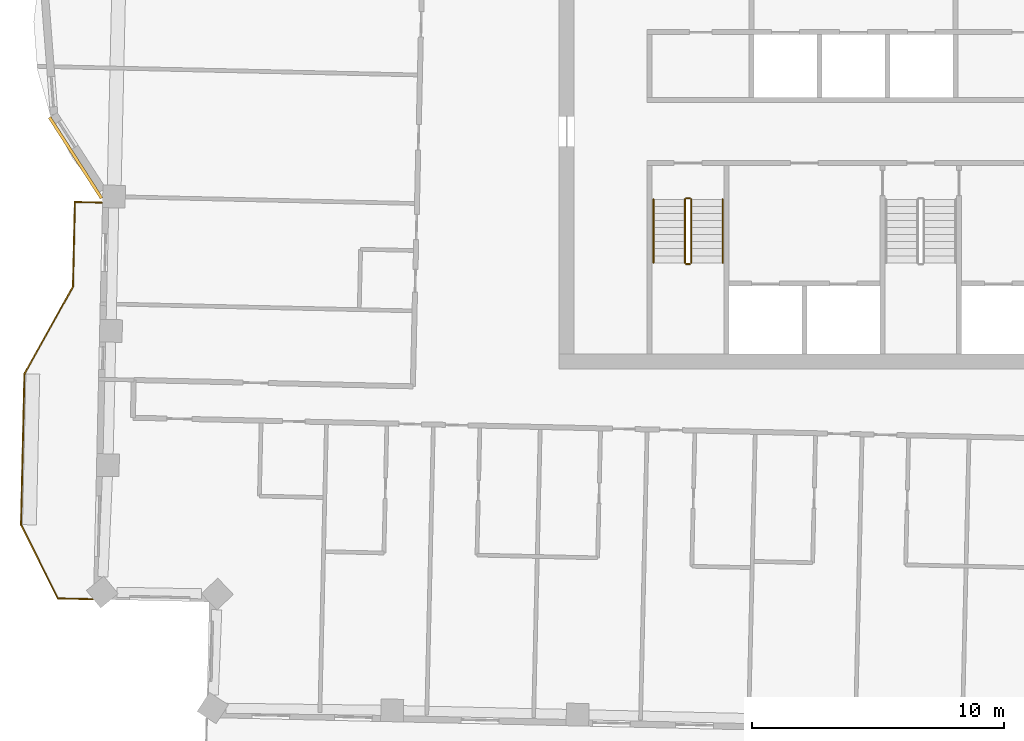
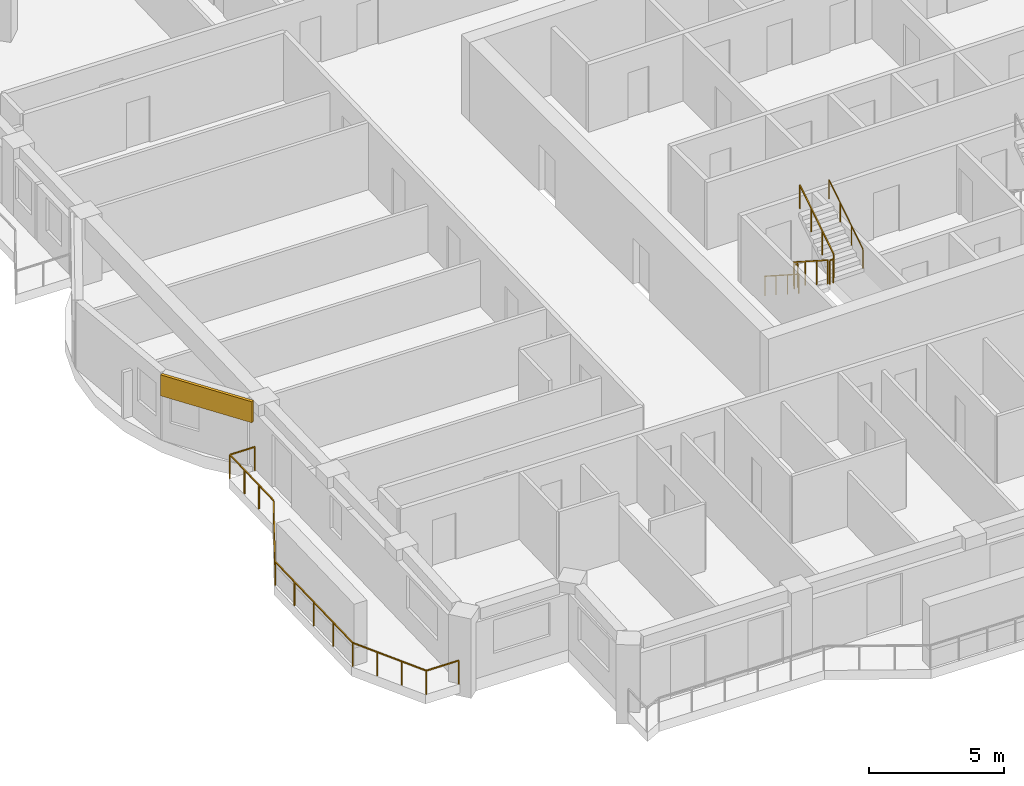
# One storey, part 12 of 15: 7 railings, 1 covering.
"""IFC4 building model written with IfcOpenShell, lengths in metres."""

from ifc_helpers import new_model, si_unit, direction, frame, frame_2d, origin, origin_2d, place, context, subcontext, project, spatial, rectangle, circle, extrude, material, layer, layer_set, type_object, element, save


model = new_model("IFC4")

# Units and contexts
model_context = context("Model", 3, precision=1e-05, world=origin(), true_north=direction((0.0, 1.0)))
body_context = subcontext(model_context, "Body", "Model", "MODEL_VIEW")
ifc_project = project(units=[si_unit("LENGTHUNIT", "METRE"), si_unit("AREAUNIT", "SQUARE_METRE"), si_unit("VOLUMEUNIT", "CUBIC_METRE"), si_unit("PLANEANGLEUNIT", "RADIAN"), si_unit("MASSUNIT", "GRAM", prefix="KILO")], contexts=[model_context])

# Site, building, storey
site_placement = place(None, origin())
site = spatial("IfcSite", under=ifc_project, at=site_placement, CompositionType="ELEMENT")
building_placement = place(site_placement, origin())
building = spatial("IfcBuilding", under=site, at=building_placement, Name="Mangrove Gate Tower", CompositionType="ELEMENT")
storey_placement = place(building_placement, frame((0.0, 0.0, 306.10009765625)))
storey = spatial("IfcBuildingStorey", under=building, at=storey_placement, Name="L78", CompositionType="ELEMENT", Elevation=306.10009765625)

# Railings
ifc_material_1 = material(Name="Stainless steel grade 316 with laminated glass infill", Category="steel")
railing_type_1 = type_object("IfcRailingType", Name="Balcony guard 1100", PredefinedType="GUARDRAIL", material=ifc_material_1)
railing_1_placement = place(storey_placement, frame((-32.593994140625, -4.77392578125, 0.0)))
element("IfcRailing", 1, at=railing_1_placement, inside=storey, type_object=railing_type_1, Name="GUARD L78 W2", PredefinedType="GUARDRAIL", context=body_context, shape_type="SweptSolid", body=[
    extrude(rectangle(XDim=0.048095703125, YDim=0.048095703125, at=origin_2d()), frame((0.0, 0.0, 1.076171875), z_axis=(-0.999744919731, 0.022585293253, 0.0), x_axis=(-0.022585293253, -0.999744919731, 0.0)), (0.0, 0.0, 1.0), 1.059326171875),
    extrude(rectangle(XDim=0.048095703125, YDim=0.048095703125, at=origin_2d()), frame((-1.05908203125, 0.02392578125, 1.076171875), z_axis=(-0.02278713509, -0.999740339525, 0.0), x_axis=(0.999740339525, -0.02278713509, 0.0)), (0.0, 0.0, 1.0), 3.375),
    extrude(rectangle(XDim=0.048095703125, YDim=0.048095703125, at=origin_2d()), frame((-1.135986328125, -3.35009765625, 1.076171875), z_axis=(-0.48726008209, -0.87325689943, 0.0), x_axis=(0.87325689943, -0.48726008209, 0.0)), (0.0, 0.0, 1.0), 3.958740234375),
    extrude(rectangle(XDim=0.048095703125, YDim=0.048095703125, at=origin_2d()), frame((-3.06494140625, -6.80712890625, 1.076171875), z_axis=(-0.022665943652, -0.999743094499, 0.0), x_axis=(0.999743094499, -0.022665943652, 0.0)), (0.0, 0.0, 1.0), 5.99951171875),
    extrude(rectangle(XDim=0.048095703125, YDim=0.048095703125, at=origin_2d()), frame((-3.200927734375, -12.80517578125, 1.076171875), z_axis=(0.447243366819, -0.894412304721, 0.0), x_axis=(0.894412304721, 0.447243366819, 0.0)), (0.0, 0.0, 1.0), 3.2802734375),
    extrude(rectangle(XDim=0.048095703125, YDim=0.048095703125, at=origin_2d()), frame((-1.73388671875, -15.739013671875, 1.076171875), z_axis=(0.99974621256, -0.022527993079, 0.0), x_axis=(0.022527993079, 0.99974621256, 0.0)), (0.0, 0.0, 1.0), 1.376220703125),
    extrude(rectangle(XDim=0.0419921875, YDim=0.0419921875, at=origin_2d()), origin(), (0.0, 0.0, 1.0), 1.052001953125),
    extrude(rectangle(XDim=0.0419921875, YDim=0.0419921875, at=origin_2d()), frame((-1.05908203125, 0.02392578125, 0.0)), (0.0, 0.0, 1.0), 1.052001953125),
    extrude(rectangle(XDim=0.0419921875, YDim=0.0419921875, at=origin_2d()), frame((-1.084716796875, -1.100830078125, 0.0)), (0.0, 0.0, 1.0), 1.052001953125),
    extrude(rectangle(XDim=0.0419921875, YDim=0.0419921875, at=origin_2d()), frame((-1.1103515625, -2.225341796875, 0.0)), (0.0, 0.0, 1.0), 1.052001953125),
    extrude(rectangle(XDim=0.0419921875, YDim=0.0419921875, at=origin_2d()), frame((-1.135986328125, -3.35009765625, 0.0)), (0.0, 0.0, 1.0), 1.052001953125),
    extrude(rectangle(XDim=0.0419921875, YDim=0.0419921875, at=origin_2d()), frame((-1.779052734375, -4.50244140625, 0.0)), (0.0, 0.0, 1.0), 1.052001953125),
    extrude(rectangle(XDim=0.0419921875, YDim=0.0419921875, at=origin_2d()), frame((-2.421875, -5.65478515625, 0.0)), (0.0, 0.0, 1.0), 1.052001953125),
    extrude(rectangle(XDim=0.0419921875, YDim=0.0419921875, at=origin_2d()), frame((-3.06494140625, -6.80712890625, 0.0)), (0.0, 0.0, 1.0), 1.052001953125),
    extrude(rectangle(XDim=0.0419921875, YDim=0.0419921875, at=origin_2d()), frame((-3.098876953125, -8.306640625, 0.0)), (0.0, 0.0, 1.0), 1.052001953125),
    extrude(rectangle(XDim=0.0419921875, YDim=0.0419921875, at=origin_2d()), frame((-3.1328125, -9.80615234375, 0.0)), (0.0, 0.0, 1.0), 1.052001953125),
    extrude(rectangle(XDim=0.0419921875, YDim=0.0419921875, at=origin_2d()), frame((-3.1669921875, -11.3056640625, 0.0)), (0.0, 0.0, 1.0), 1.052001953125),
    extrude(rectangle(XDim=0.0419921875, YDim=0.0419921875, at=origin_2d()), frame((-3.200927734375, -12.80517578125, 0.0)), (0.0, 0.0, 1.0), 1.052001953125),
    extrude(rectangle(XDim=0.0419921875, YDim=0.0419921875, at=origin_2d()), frame((-2.7119140625, -13.783203125, 0.0)), (0.0, 0.0, 1.0), 1.052001953125),
    extrude(rectangle(XDim=0.0419921875, YDim=0.0419921875, at=origin_2d()), frame((-2.222900390625, -14.760986328125, 0.0)), (0.0, 0.0, 1.0), 1.052001953125),
    extrude(rectangle(XDim=0.0419921875, YDim=0.0419921875, at=origin_2d()), frame((-1.73388671875, -15.739013671875, 0.0)), (0.0, 0.0, 1.0), 1.052001953125),
    extrude(rectangle(XDim=0.0419921875, YDim=0.0419921875, at=origin_2d()), frame((-0.35791015625, -15.77001953125, 0.0)), (0.0, 0.0, 1.0), 1.052001953125),
])
ifc_material_2 = material(Name="Stainless steel 316", Category="steel")
railing_type_2 = type_object("IfcRailingType", Name="Core stair guard 1100", PredefinedType="GUARDRAIL", material=ifc_material_2)
railing_2_placement = place(storey_placement, frame((-9.39990234375, -4.64990234375, 0.179931640625)))
element("IfcRailing", 2, at=railing_2_placement, inside=storey, type_object=railing_type_2, Name="L78 ST1 stair guard 1", PredefinedType="GUARDRAIL", context=body_context, shape_type="SweptSolid", body=[
    extrude(rectangle(XDim=0.048095703125, YDim=0.048095703125, at=origin_2d()), frame((0.0, 0.0, 1.076171875), z_axis=(0.0, -0.841199657755, 0.540724639528), x_axis=(1.0, 0.0, 0.0)), (0.0, 0.0, 1.0), 2.995849609375),
    extrude(rectangle(XDim=0.0419921875, YDim=0.0419921875, at=origin_2d()), origin(), (0.0, 0.0, 1.0), 1.052001953125),
    extrude(rectangle(XDim=0.0419921875, YDim=0.0419921875, at=origin_2d()), frame((0.0, -0.840087890625, 0.5400390625)), (0.0, 0.0, 1.0), 1.052001953125),
    extrude(rectangle(XDim=0.0419921875, YDim=0.0419921875, at=origin_2d()), frame((0.0, -1.679931640625, 1.079833984375)), (0.0, 0.0, 1.0), 1.052001953125),
    extrude(rectangle(XDim=0.0419921875, YDim=0.0419921875, at=origin_2d()), frame((0.0, -2.52001953125, 1.619873046875)), (0.0, 0.0, 1.0), 1.052001953125),
])
railing_3_placement = place(storey_placement, frame((-9.35009765625, -7.219970703125, 1.7998046875)))
element("IfcRailing", 3, at=railing_3_placement, inside=storey, type_object=railing_type_2, Name="L78 ST1 stair guard 2", PredefinedType="GUARDRAIL", context=body_context, shape_type="SweptSolid", body=[
    extrude(rectangle(XDim=0.048095703125, YDim=0.048095703125, at=origin_2d()), frame((0.0, 0.0, 1.076171875), z_axis=(1.0, 0.0, 0.0), x_axis=(0.0, 1.0, 0.0)), (0.0, 0.0, 1.0), 0.150146484375),
    extrude(rectangle(XDim=0.0419921875, YDim=0.0419921875, at=origin_2d()), origin(), (0.0, 0.0, 1.0), 1.052001953125),
    extrude(rectangle(XDim=0.0419921875, YDim=0.0419921875, at=origin_2d()), frame((0.150146484375, 0.0, 0.0)), (0.0, 0.0, 1.0), 1.052001953125),
])
railing_4_placement = place(storey_placement, frame((-9.14990234375, -7.169921875, 1.97998046875)))
element("IfcRailing", 4, at=railing_4_placement, inside=storey, type_object=railing_type_2, Name="L78 ST1 stair guard 3", PredefinedType="GUARDRAIL", context=body_context, shape_type="SweptSolid", body=[
    extrude(rectangle(XDim=0.048095703125, YDim=0.048095703125, at=origin_2d()), frame((0.0, 0.0, 1.076171875), z_axis=(0.0, 0.841199657755, 0.540724639528), x_axis=(-1.0, 0.0, 0.0)), (0.0, 0.0, 1.0), 2.995849609375),
    extrude(rectangle(XDim=0.0419921875, YDim=0.0419921875, at=origin_2d()), origin(), (0.0, 0.0, 1.0), 1.052001953125),
    extrude(rectangle(XDim=0.0419921875, YDim=0.0419921875, at=origin_2d()), frame((0.0, 0.840087890625, 0.5400390625)), (0.0, 0.0, 1.0), 1.052001953125),
    extrude(rectangle(XDim=0.0419921875, YDim=0.0419921875, at=origin_2d()), frame((0.0, 1.679931640625, 1.079833984375)), (0.0, 0.0, 1.0), 1.052001953125),
    extrude(rectangle(XDim=0.0419921875, YDim=0.0419921875, at=origin_2d()), frame((0.0, 2.52001953125, 1.619873046875)), (0.0, 0.0, 1.0), 1.052001953125),
])
railing_5_placement = place(storey_placement, frame((-9.35009765625, -4.60009765625, 0.0)))
element("IfcRailing", 5, at=railing_5_placement, inside=storey, type_object=railing_type_2, Name="L78 ST1 stair guard 4", PredefinedType="GUARDRAIL", context=body_context, shape_type="SweptSolid", body=[
    extrude(rectangle(XDim=0.048095703125, YDim=0.048095703125, at=origin_2d()), frame((0.0, 0.0, 1.076171875), z_axis=(1.0, 0.0, 0.0), x_axis=(0.0, 1.0, 0.0)), (0.0, 0.0, 1.0), 0.150146484375),
    extrude(rectangle(XDim=0.0419921875, YDim=0.0419921875, at=origin_2d()), origin(), (0.0, 0.0, 1.0), 1.052001953125),
    extrude(rectangle(XDim=0.0419921875, YDim=0.0419921875, at=origin_2d()), frame((0.150146484375, 0.0, 0.0)), (0.0, 0.0, 1.0), 1.052001953125),
])
ifc_material_3 = material(Name="Stainless steel 316", Category="steel")
railing_type_3 = type_object("IfcRailingType", Name="Core stair handrail 900", PredefinedType="HANDRAIL", material=ifc_material_3)
railing_6_placement = place(storey_placement, frame((-10.64990234375, -4.64990234375, 0.179931640625)))
element("IfcRailing", 6, at=railing_6_placement, inside=storey, type_object=railing_type_3, Name="L78 ST1 stair handrail 1", PredefinedType="HANDRAIL", context=body_context, shape_type="SweptSolid", body=[
    extrude(circle(Radius=0.02392578125, at=origin_2d()), frame((0.0, 0.0, 0.8759765625), z_axis=(0.0, -0.841199657755, 0.540724639528), x_axis=(1.0, 0.0, 0.0)), (0.0, 0.0, 1.0), 2.995849609375),
    extrude(circle(Radius=0.02099609375, at=origin_2d()), origin(), (0.0, 0.0, 1.0), 0.851806640625),
    extrude(circle(Radius=0.02099609375, at=origin_2d()), frame((0.0, -0.840087890625, 0.5400390625)), (0.0, 0.0, 1.0), 0.851806640625),
    extrude(circle(Radius=0.02099609375, at=origin_2d()), frame((0.0, -1.679931640625, 1.079833984375)), (0.0, 0.0, 1.0), 0.851806640625),
    extrude(circle(Radius=0.02099609375, at=origin_2d()), frame((0.0, -2.52001953125, 1.619873046875)), (0.0, 0.0, 1.0), 0.851806640625),
])
railing_7_placement = place(storey_placement, frame((-7.89990234375, -7.169921875, 1.97998046875)))
element("IfcRailing", 7, at=railing_7_placement, inside=storey, type_object=railing_type_3, Name="L78 ST1 stair handrail 2", PredefinedType="HANDRAIL", context=body_context, shape_type="SweptSolid", body=[
    extrude(circle(Radius=0.02392578125, at=origin_2d()), frame((0.0, 0.0, 0.8759765625), z_axis=(0.0, 0.841199657755, 0.540724639528), x_axis=(-1.0, 0.0, 0.0)), (0.0, 0.0, 1.0), 2.995849609375),
    extrude(circle(Radius=0.02099609375, at=origin_2d()), origin(), (0.0, 0.0, 1.0), 0.851806640625),
    extrude(circle(Radius=0.02099609375, at=origin_2d()), frame((0.0, 0.840087890625, 0.5400390625)), (0.0, 0.0, 1.0), 0.851806640625),
    extrude(circle(Radius=0.02099609375, at=origin_2d()), frame((0.0, 1.679931640625, 1.079833984375)), (0.0, 0.0, 1.0), 0.851806640625),
    extrude(circle(Radius=0.02099609375, at=origin_2d()), frame((0.0, 2.52001953125, 1.619873046875)), (0.0, 0.0, 1.0), 0.851806640625),
])

# Covering
ifc_material_4 = material(Name="Limestone", Category="masonry")
ifc_layer_1 = layer(ifc_material_4, 0.0400390625, Name="Limestone cladding")
ifc_material_5 = material(Name="Stainless steel anchors and cavity", Category="steel")
ifc_layer_2 = layer(ifc_material_5, 0.080078125, Name="Fixing cavity")
ifc_layer_set = layer_set([ifc_layer_1, ifc_layer_2], Name="Joint fascia cladding 120")
covering_type = type_object("IfcCoveringType", Name="Joint fascia cladding 120", PredefinedType="CLADDING", material=ifc_layer_set)
covering_placement = place(storey_placement, frame((-34.657958984375, -1.39111328125, 2.099853515625), z_axis=(0.0, 0.0, 1.0), x_axis=(0.540602448732, -0.841278189676, 0.0)))
element("IfcCovering", 8, at=covering_placement, inside=storey, type_object=covering_type, Name="STONE FASCIA L78 W9.L2", PredefinedType="CLADDING", context=body_context, shape_type="SweptSolid", body=[
    extrude(rectangle(XDim=3.81787109375, YDim=0.1201171875, at=frame_2d((1.908935546875, 0.0))), origin(), (0.0, 0.0, 1.0), 0.949951171875),
])

save(model, "model.ifc")
